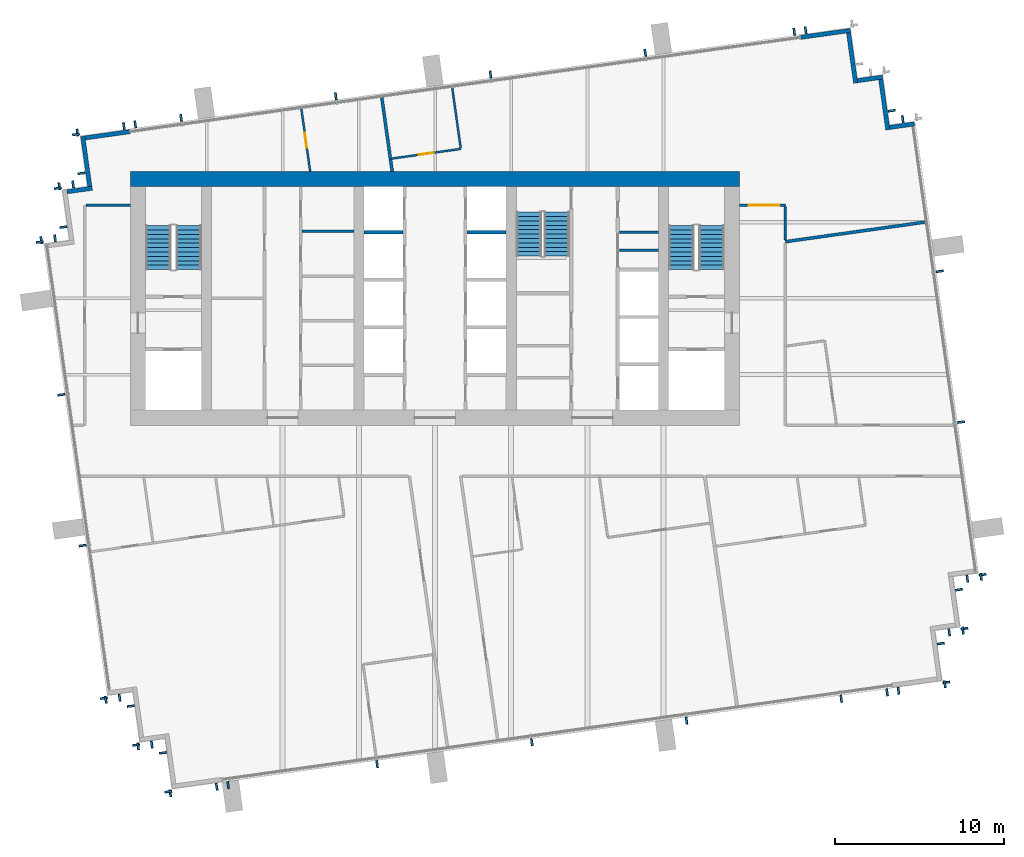
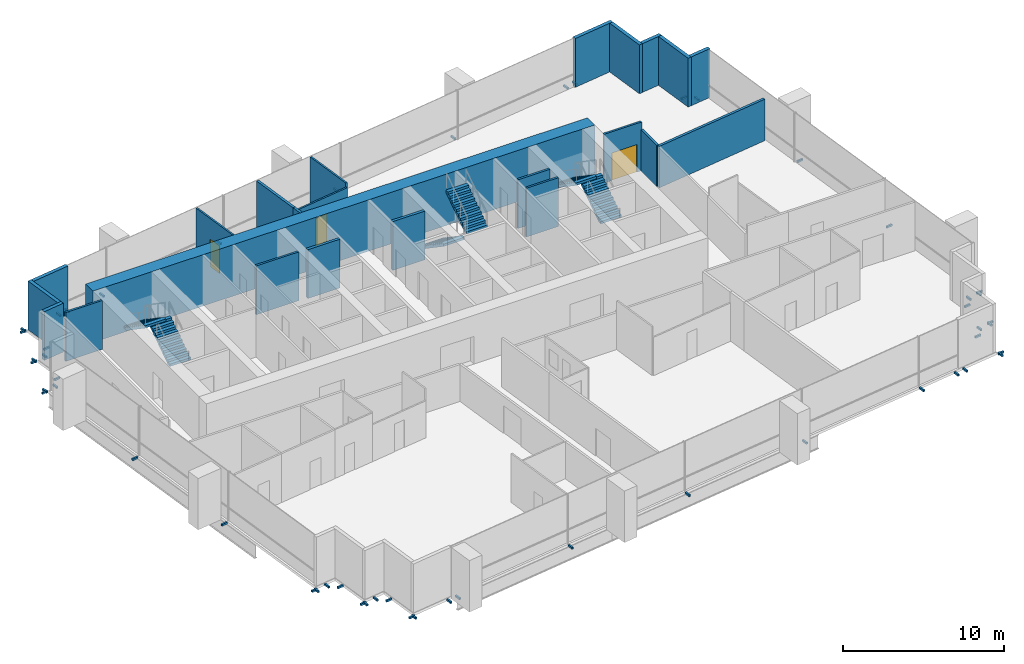
# One storey, part 12 of 14: 52 discrete accessories, 23 walls, 6 stair flights, 3 doors, 3 openings, 3 elements without a shape of their own.
"""IFC4 building model written with IfcOpenShell, lengths in metres."""

from ifc_helpers import new_model, si_unit, direction, frame, frame_2d, origin, origin_2d, place, context, subcontext, project, spatial, polyline, rectangle, outline, extrude, material, layer, layer_set, type_object, element, fill, aggregate, save


model = new_model("IFC4")

# Units and contexts
model_context = context("Model", 3, precision=1e-05, world=origin(), true_north=direction((0.0, 1.0)))
body_context = subcontext(model_context, "Body", "Model", "MODEL_VIEW")
ifc_project = project(units=[si_unit("LENGTHUNIT", "METRE"), si_unit("AREAUNIT", "SQUARE_METRE"), si_unit("VOLUMEUNIT", "CUBIC_METRE"), si_unit("PLANEANGLEUNIT", "RADIAN"), si_unit("MASSUNIT", "GRAM", prefix="KILO")], contexts=[model_context])

# Site, building, storey
site_placement = place(None, origin())
site = spatial("IfcSite", under=ifc_project, at=site_placement, CompositionType="ELEMENT")
building_placement = place(site_placement, origin())
building = spatial("IfcBuilding", under=site, at=building_placement, Name="Rattan Terrace Tower", CompositionType="ELEMENT")
storey_placement = place(building_placement, frame((0.0, 0.0, 229.10009765625)))
storey = spatial("IfcBuildingStorey", under=building, at=storey_placement, Name="L52", CompositionType="ELEMENT", Elevation=229.10009765625)

# Walls
ifc_material_1 = material(Name="Gypsum board partition")
ifc_layer_1 = layer(ifc_material_1, 0.14990234375)
ifc_layer_set_1 = layer_set([ifc_layer_1], Name="Core partition 150")
wall_type_1 = type_object("IfcWallType", Name="Core partition 150", PredefinedType="PARTITIONING", material=ifc_layer_set_1)
wall_1_placement = place(storey_placement, frame((-7.85009765625, 3.9599609375, 0.0), z_axis=(0.0, 0.0, 1.0), x_axis=(1.0, 0.0, 0.0)))
element("IfcWall", 1, at=wall_1_placement, inside=storey, type_object=wall_type_1, Name="Core room wall", PredefinedType="PARTITIONING", context=body_context, shape_type="SweptSolid", body=[
    extrude(rectangle(XDim=3.050048828125, YDim=0.14990234375, at=frame_2d((1.52490234375, 0.0))), origin(), (0.0, 0.0, 1.0), 3.699951171875),
])
for number, where, z_axis, x_axis, name in (
    (2, (10.89990234375, 2.85595703125, 0.0), (0.0, 0.0, 1.0), (1.0, 0.0, 0.0), "Riser room wall"),
    (3, (10.89990234375, 3.912109375, 0.0), (0.0, 0.0, 1.0), (1.0, 0.0, 0.0), "Riser room wall"),
):
    element("IfcWall", number, at=place(storey_placement, frame(where, z_axis=z_axis, x_axis=x_axis)), inside=storey, type_object=wall_type_1, Name=name, PredefinedType="PARTITIONING", context=body_context, shape_type="SweptSolid", body=[
        extrude(rectangle(XDim=2.300048828125, YDim=0.14990234375, at=frame_2d((1.14990234375, 0.0))), origin(), (0.0, 0.0, 1.0), 3.699951171875),
    ])
ifc_material_2 = material(Name="Concrete C50/60", Category="concrete")
ifc_layer_2 = layer(ifc_material_2, 0.89990234375)
ifc_layer_set_2 = layer_set([ifc_layer_2], Name="Core ring wall 900 C50/60")
wall_type_2 = type_object("IfcWallType", Name="Core ring wall 900 C50/60", PredefinedType="SHEAR", material=ifc_layer_set_2)
wall_2_placement = place(storey_placement, frame((-18.0, 7.050048828125, -0.2001953125), z_axis=(0.0, 0.0, 1.0), x_axis=(1.0, 0.0, 0.0)))
element("IfcWall", 4, at=wall_2_placement, inside=storey, type_object=wall_type_2, Name="Rear core wall north", PredefinedType="SHEAR", context=body_context, shape_type="SweptSolid", body=[
    extrude(rectangle(XDim=36.0, YDim=0.89990234375, at=frame_2d((18.0, 0.0))), origin(), (0.0, 0.0, 1.0), 3.900146484375),
])
ifc_material_3 = material(Name="Insulated aluminium-clad stud wall", Category="aluminium")
ifc_layer_3 = layer(ifc_material_3, 0.25)
ifc_layer_set_3 = layer_set([ifc_layer_3], Name="Facade Riser Wall 250")
wall_type_3 = type_object("IfcWallType", Name="Facade Riser Wall 250", PredefinedType="SOLIDWALL", material=ifc_layer_set_3)
wall_3_placement = place(storey_placement, frame((28.322265625, 10.308837890625, 0.0), z_axis=(0.0, 0.0, 1.0), x_axis=(-0.990235520307, -0.13940449893, 0.0)))
element("IfcWall", 5, at=wall_3_placement, inside=storey, type_object=wall_type_3, Name="Riser wall L52-6", PredefinedType="SOLIDWALL", context=body_context, shape_type="SweptSolid", body=[
    extrude(rectangle(XDim=1.474609375, YDim=0.25, at=frame_2d((0.7373046875, 0.0))), origin(), (0.0, 0.0, 1.0), 3.699951171875),
])
wall_4_placement = place(storey_placement, frame((26.755859375, 9.962158203125, 0.0), z_axis=(0.0, 0.0, 1.0), x_axis=(-0.139393225799, 0.990237107263, 0.0)))
element("IfcWall", 6, at=wall_4_placement, inside=storey, type_object=wall_type_3, Name="Riser wall L52-7", PredefinedType="SOLIDWALL", context=body_context, shape_type="SweptSolid", body=[
    extrude(rectangle(XDim=3.000244140625, YDim=0.25, at=frame_2d((1.5, 0.0))), origin(), (0.0, 0.0, 1.0), 3.699951171875),
])
wall_5_placement = place(storey_placement, frame((26.444091796875, 13.074462890625, 0.0), z_axis=(0.0, 0.0, 1.0), x_axis=(-0.990240434918, -0.139369584395, 0.0)))
element("IfcWall", 7, at=wall_5_placement, inside=storey, type_object=wall_type_3, Name="Riser wall L52-8", PredefinedType="SOLIDWALL", context=body_context, shape_type="SweptSolid", body=[
    extrude(rectangle(XDim=1.49951171875, YDim=0.25, at=frame_2d((0.749755859375, 0.0))), origin(), (0.0, 0.0, 1.0), 3.699951171875),
])
wall_6_placement = place(storey_placement, frame((24.852783203125, 12.72412109375, 0.0), z_axis=(0.0, 0.0, 1.0), x_axis=(-0.139302206688, 0.990249915532, 0.0)))
element("IfcWall", 8, at=wall_6_placement, inside=storey, type_object=wall_type_3, Name="Riser wall L52-9", PredefinedType="SOLIDWALL", context=body_context, shape_type="SweptSolid", body=[
    extrude(rectangle(XDim=3.00048828125, YDim=0.25, at=frame_2d((1.500244140625, 0.0))), origin(), (0.0, 0.0, 1.0), 3.699951171875),
])
wall_7_placement = place(storey_placement, frame((24.541015625, 15.83642578125, 0.0), z_axis=(0.0, 0.0, 1.0), x_axis=(-0.990285396533, -0.139049751574, 0.0)))
element("IfcWall", 9, at=wall_7_placement, inside=storey, type_object=wall_type_3, Name="Riser wall L52-10", PredefinedType="SOLIDWALL", context=body_context, shape_type="SweptSolid", body=[
    extrude(rectangle(XDim=2.955078125, YDim=0.25, at=frame_2d((1.4775390625, 0.0))), origin(), (0.0, 0.0, 1.0), 3.699951171875),
])
wall_8_placement = place(storey_placement, frame((-17.995361328125, 9.858642578125, 0.0), z_axis=(0.0, 0.0, 1.0), x_axis=(-0.99024510326, -0.139336411139, 0.0)))
element("IfcWall", 10, at=wall_8_placement, inside=storey, type_object=wall_type_3, Name="Riser wall L52-11", PredefinedType="SOLIDWALL", context=body_context, shape_type="SweptSolid", body=[
    extrude(rectangle(XDim=2.705322265625, YDim=0.25, at=frame_2d((1.3525390625, 0.0))), origin(), (0.0, 0.0, 1.0), 3.699951171875),
])
wall_9_placement = place(storey_placement, frame((-20.8154296875, 9.588134765625, 0.0), z_axis=(0.0, 0.0, 1.0), x_axis=(0.138983028379, -0.9902947631, 0.0)))
element("IfcWall", 11, at=wall_9_placement, inside=storey, type_object=wall_type_3, Name="Riser wall L52-12", PredefinedType="SOLIDWALL", context=body_context, shape_type="SweptSolid", body=[
    extrude(rectangle(XDim=3.000244140625, YDim=0.25, at=frame_2d((1.5, 0.0))), origin(), (0.0, 0.0, 1.0), 3.699951171875),
])
wall_10_placement = place(storey_placement, frame((-20.25732421875, 6.510498046875, 0.0), z_axis=(0.0, 0.0, 1.0), x_axis=(-0.990330117064, -0.138730887823, 0.0)))
element("IfcWall", 12, at=wall_10_placement, inside=storey, type_object=wall_type_3, Name="Riser wall L52-13", PredefinedType="SOLIDWALL", context=body_context, shape_type="SweptSolid", body=[
    extrude(rectangle(XDim=1.499267578125, YDim=0.25, at=frame_2d((0.74951171875, 0.0))), origin(), (0.0, 0.0, 1.0), 3.699951171875),
])
ifc_material_4 = material(Name="Double steel stud acoustic partition, gypsum board, mineral wool, fire rated", Category="steel")
ifc_layer_4 = layer(ifc_material_4, 0.179931640625)
ifc_layer_set_4 = layer_set([ifc_layer_4], Name="Floors Acoustic Party Wall 180")
wall_type_4 = type_object("IfcWallType", Name="Floors Acoustic Party Wall 180", PredefinedType="PARTITIONING", material=ifc_layer_set_4)
wall_11_placement = place(storey_placement, frame((-2.632080078125, 8.22998046875, 0.0), z_axis=(0.0, 0.0, 1.0), x_axis=(0.138452925943, -0.99036901572, 0.0)))
element("IfcWall", 13, at=wall_11_placement, inside=storey, type_object=wall_type_4, Name="pt-L52-047", PredefinedType="PARTITIONING", context=body_context, shape_type="SweptSolid", body=[
    extrude(rectangle(XDim=0.737060546875, YDim=0.179931640625, at=frame_2d((0.36865234375, 0.0))), origin(), (0.0, 0.0, 1.0), 3.699951171875),
])
wall_12_placement = place(storey_placement, frame((-3.14208984375, 11.85595703125, 0.0), z_axis=(0.0, 0.0, 1.0), x_axis=(0.139058624332, -0.990284150635, 0.0)))
element("IfcWall", 14, at=wall_12_placement, inside=storey, type_object=wall_type_4, Name="pt-L52-048", PredefinedType="PARTITIONING", context=body_context, shape_type="SweptSolid", body=[
    extrude(rectangle(XDim=3.66064453125, YDim=0.179931640625, at=frame_2d((1.830322265625, 0.0))), origin(), (0.0, 0.0, 1.0), 3.699951171875),
])
wall_13_placement = place(storey_placement, frame((20.699951171875, 3.35009765625, 0.0), z_axis=(0.0, 0.0, 1.0), x_axis=(0.990269965101, 0.139159606996, 0.0)))
element("IfcWall", 15, at=wall_13_placement, inside=storey, type_object=wall_type_4, Name="pt-L52-051", PredefinedType="PARTITIONING", context=body_context, shape_type="SweptSolid", body=[
    extrude(rectangle(XDim=8.328125, YDim=0.179931640625, at=frame_2d((4.1640625, 0.0))), origin(), (0.0, 0.0, 1.0), 3.14990234375),
])
ifc_material_5 = material(Name="Gypsum board partition on steel studs, fire rated", Category="steel")
ifc_layer_5 = layer(ifc_material_5, 0.14990234375)
ifc_layer_set_5 = layer_set([ifc_layer_5], Name="Floors Tenancy Wall 150")
wall_type_5 = type_object("IfcWallType", Name="Floors Tenancy Wall 150", PredefinedType="PARTITIONING", material=ifc_layer_set_5)
wall_14_placement = place(storey_placement, frame((-20.625, 5.5009765625, 0.0), z_axis=(0.0, 0.0, 1.0), x_axis=(1.0, 0.0, 0.0)))
element("IfcWall", 16, at=wall_14_placement, inside=storey, type_object=wall_type_5, Name="pt-L52-018", PredefinedType="PARTITIONING", context=body_context, shape_type="SweptSolid", body=[
    extrude(rectangle(XDim=2.625, YDim=0.14990234375, at=frame_2d((1.3125, 0.0))), origin(), (0.0, 0.0, 1.0), 3.699951171875),
])

# Wall, opening, door
wall_15_placement = place(storey_placement, frame((18.0, 5.5, 0.0), z_axis=(0.0, 0.0, 1.0), x_axis=(1.0, 0.0, 0.0)))
wall_15 = element("IfcWall", 17, at=wall_15_placement, inside=storey, type_object=wall_type_5, Name="pt-L52-023", PredefinedType="PARTITIONING", context=body_context, shape_type="SweptSolid", body=[
    extrude(rectangle(XDim=2.699951171875, YDim=0.14990234375, at=frame_2d((1.35009765625, 0.0))), origin(), (0.0, 0.0, 1.0), 3.699951171875),
])
opening_1_placement = place(wall_15_placement, frame((0.550048828125, 0.0, 0.0)))
opening_1 = element("IfcOpeningElement", 18, at=opening_1_placement, cuts=wall_15, Name="Opening L52-D116", PredefinedType="OPENING", context=body_context, shape_type="SweptSolid", body=[
    extrude(rectangle(XDim=1.800048828125, YDim=2.10009765625, at=frame_2d((0.89990234375, 1.050048828125))), frame((0.0, 0.08544921875, 0.0), z_axis=(0.0, -1.0, 0.0), x_axis=(1.0, 0.0, 0.0)), (0.0, 0.0, 1.0), 0.1708984375),
])
ifc_material_6 = material(Name="Steel fire door set", Category="steel")
door_type_1 = type_object("IfcDoorType", Name="Floors Fire Door Pair FD30S 1800x2100", OperationType="NOTDEFINED", PredefinedType="DOOR", material=ifc_material_6)
door_1_placement = place(opening_1_placement, origin())
door_1 = element("IfcDoor", 19, at=door_1_placement, inside=storey, type_object=door_type_1, Name="d-L52-116", OperationType="DOUBLE_DOOR_SINGLE_SWING", OverallHeight=2.10009765625, OverallWidth=1.800048828125, PredefinedType="DOOR", context=body_context, shape_type="SweptSolid", body=[
    extrude(rectangle(XDim=1.800048828125, YDim=2.10009765625, at=frame_2d((0.89990234375, 1.050048828125))), frame((0.0, 0.02490234375, 0.0), z_axis=(0.0, -1.0, 0.0), x_axis=(1.0, 0.0, 0.0)), (0.0, 0.0, 1.0), 0.050048828125),
])
fill(opening_1, door_1)

# Wall
wall_16_placement = place(storey_placement, frame((20.699951171875, 5.425048828125, 0.0), z_axis=(0.0, 0.0, 1.0), x_axis=(0.0, -1.0, 0.0)))
element("IfcWall", 20, at=wall_16_placement, inside=storey, type_object=wall_type_5, Name="pt-L52-024", PredefinedType="PARTITIONING", context=body_context, shape_type="SweptSolid", body=[
    extrude(rectangle(XDim=1.97412109375, YDim=0.14990234375, at=frame_2d((0.987060546875, 0.0))), origin(), (0.0, 0.0, 1.0), 3.14990234375),
])

# Wall, opening, door
ifc_material_7 = material(Name="Moisture resistant gypsum board partition on steel studs with service cavity", Category="steel")
ifc_layer_6 = layer(ifc_material_7, 0.1201171875)
ifc_layer_set_6 = layer_set([ifc_layer_6], Name="Floors Wet Wall 120")
wall_type_6 = type_object("IfcWallType", Name="Floors Wet Wall 120", PredefinedType="PARTITIONING", material=ifc_layer_set_6)
wall_17_placement = place(storey_placement, frame((-7.89501953125, 11.18798828125, 0.0), z_axis=(0.0, 0.0, 1.0), x_axis=(0.139108182039, -0.990277190331, 0.0)))
wall_17 = element("IfcWall", 21, at=wall_17_placement, inside=storey, type_object=wall_type_6, Name="pt-L52-046", PredefinedType="PARTITIONING", context=body_context, shape_type="SweptSolid", body=[
    extrude(rectangle(XDim=3.72412109375, YDim=0.1201171875, at=frame_2d((1.862060546875, 0.0))), origin(), (0.0, 0.0, 1.0), 3.699951171875),
])
opening_2_placement = place(wall_17_placement, frame((1.412109375, 0.0, 0.0)))
opening_2 = element("IfcOpeningElement", 22, at=opening_2_placement, cuts=wall_17, Name="Opening L52-D113", PredefinedType="OPENING", context=body_context, shape_type="SweptSolid", body=[
    extrude(rectangle(XDim=0.89990234375, YDim=2.10009765625, at=frame_2d((0.449951171875, 1.050048828125))), frame((0.0, 0.070556640625, 0.0), z_axis=(0.0, -1.0, 0.0), x_axis=(1.0, 0.0, 0.0)), (0.0, 0.0, 1.0), 0.14111328125),
])
ifc_material_8 = material(Name="Solid core timber door, painted", Category="wood")
door_type_2 = type_object("IfcDoorType", Name="Floors Door 900x2100", OperationType="NOTDEFINED", PredefinedType="DOOR", material=ifc_material_8)
door_2_placement = place(opening_2_placement, origin())
door_2 = element("IfcDoor", 23, at=door_2_placement, inside=storey, type_object=door_type_2, Name="d-L52-113", OperationType="SINGLE_SWING_RIGHT", OverallHeight=2.10009765625, OverallWidth=0.89990234375, PredefinedType="DOOR", context=body_context, shape_type="SweptSolid", body=[
    extrude(rectangle(XDim=0.89990234375, YDim=2.10009765625, at=frame_2d((0.449951171875, 1.050048828125))), frame((0.0, 0.02490234375, 0.0), z_axis=(0.0, -1.0, 0.0), x_axis=(1.0, 0.0, 0.0)), (0.0, 0.0, 1.0), 0.050048828125),
])
fill(opening_2, door_2)

wall_18_placement = place(storey_placement, frame((-2.5458984375, 8.261962890625, 0.0), z_axis=(0.0, 0.0, 1.0), x_axis=(0.990233783149, 0.139416837975, 0.0)))
wall_18 = element("IfcWall", 24, at=wall_18_placement, inside=storey, type_object=wall_type_6, Name="pt-L52-052", PredefinedType="PARTITIONING", context=body_context, shape_type="SweptSolid", body=[
    extrude(rectangle(XDim=4.10986328125, YDim=0.1201171875, at=frame_2d((2.054931640625, 0.0))), origin(), (0.0, 0.0, 1.0), 3.39990234375),
])
opening_3_placement = place(wall_18_placement, frame((1.60498046875, 0.0, 0.0)))
opening_3 = element("IfcOpeningElement", 25, at=opening_3_placement, cuts=wall_18, Name="Opening L52-D117", PredefinedType="OPENING", context=body_context, shape_type="SweptSolid", body=[
    extrude(rectangle(XDim=0.89990234375, YDim=2.10009765625, at=frame_2d((0.449951171875, 1.050048828125))), frame((0.0, 0.070556640625, 0.0), z_axis=(0.0, -1.0, 0.0), x_axis=(1.0, 0.0, 0.0)), (0.0, 0.0, 1.0), 0.14111328125),
])
door_3_placement = place(opening_3_placement, origin())
door_3 = element("IfcDoor", 26, at=door_3_placement, inside=storey, type_object=door_type_2, Name="d-L52-117", OperationType="SINGLE_SWING_RIGHT", OverallHeight=2.10009765625, OverallWidth=0.89990234375, PredefinedType="DOOR", context=body_context, shape_type="SweptSolid", body=[
    extrude(rectangle(XDim=0.89990234375, YDim=2.10009765625, at=frame_2d((0.449951171875, 1.050048828125))), frame((0.0, 0.02490234375, 0.0), z_axis=(0.0, -1.0, 0.0), x_axis=(1.0, 0.0, 0.0)), (0.0, 0.0, 1.0), 0.050048828125),
])
fill(opening_3, door_3)

# Walls
wall_19_placement = place(storey_placement, frame((1.51611328125, 8.89404296875, 0.0), z_axis=(0.0, 0.0, 1.0), x_axis=(-0.139321670591, 0.990247177276, 0.0)))
element("IfcWall", 27, at=wall_19_placement, inside=storey, type_object=wall_type_6, Name="pt-L52-053", PredefinedType="PARTITIONING", context=body_context, shape_type="SweptSolid", body=[
    extrude(rectangle(XDim=3.581787109375, YDim=0.1201171875, at=frame_2d((1.791015625, 0.0))), origin(), (0.0, 0.0, 1.0), 3.699951171875),
])
ifc_material_9 = material(Name="Gypsum shaft wall system")
ifc_layer_7 = layer(ifc_material_9, 0.199951171875)
ifc_layer_set_7 = layer_set([ifc_layer_7], Name="Lift shaft wall 200")
wall_type_7 = type_object("IfcWallType", Name="Lift shaft wall 200", PredefinedType="PARTITIONING", material=ifc_layer_set_7)
for number, where, z_axis, x_axis, name in (
    (28, (-4.199951171875, 3.89990234375, 0.0), (0.0, 0.0, 1.0), (1.0, 0.0, 0.0), "Lift shaft wall"),
    (29, (1.89990234375, 3.89990234375, 0.0), (0.0, 0.0, 1.0), (1.0, 0.0, 0.0), "Lift shaft wall"),
):
    element("IfcWall", number, at=place(storey_placement, frame(where, z_axis=z_axis, x_axis=x_axis)), inside=storey, type_object=wall_type_7, Name=name, PredefinedType="PARTITIONING", context=body_context, shape_type="SweptSolid", body=[
        extrude(rectangle(XDim=2.300048828125, YDim=0.199951171875, at=frame_2d((1.14990234375, 0.0))), origin(), (0.0, 0.0, 1.0), 3.699951171875),
    ])

# Stair, stair flights
ifc_material_10 = material(Name="Concrete C40/50", Category="concrete")
stair_type = type_object("IfcStairType", Name="Core exit stair 1500", PredefinedType="HALF_TURN_STAIR", material=ifc_material_10)
stair_1_placement = place(storey_placement, origin())
stair_1 = element("IfcStair", 30, at=stair_1_placement, inside=storey, type_object=stair_type, Name="L52 exit stair 1", PredefinedType="HALF_TURN_STAIR")
ifc_material_11 = material(Name="Concrete C40/50", Category="concrete")
stair_flight_type = type_object("IfcStairFlightType", Name="Core exit stair flight 1500", PredefinedType="STRAIGHT", material=ifc_material_11)
stair_flight_1_placement = place(storey_placement, frame((-14.550048828125, 1.699951171875, 0.0), z_axis=(0.0, 0.0, 1.0), x_axis=(0.0, 1.0, 0.0)))
stair_flight_1 = element("IfcStairFlight", 31, at=stair_flight_1_placement, type_object=stair_flight_type, Name="S1 flight 1", NumberOfRisers=11, NumberOfTreads=10, PredefinedType="STRAIGHT", RiserHeight=0.177272727, TreadLength=0.26, context=body_context, shape_type="SweptSolid", body=[
    extrude(outline(polyline([(0.0, 0.0), (0.0, 0.17724609375), (0.260009765625, 0.17724609375), (0.260009765625, 0.3544921875), (0.52001953125, 0.3544921875), (0.52001953125, 0.53173828125), (0.780029296875, 0.53173828125), (0.780029296875, 0.708984375), (1.0400390625, 0.708984375), (1.0400390625, 0.886474609375), (1.300048828125, 0.886474609375), (1.300048828125, 1.063720703125), (1.56005859375, 1.063720703125), (1.56005859375, 1.240966796875), (1.820068359375, 1.240966796875), (1.820068359375, 1.418212890625), (2.080078125, 1.418212890625), (2.080078125, 1.595458984375), (2.340087890625, 1.595458984375), (2.340087890625, 1.772705078125), (2.60009765625, 1.772705078125), (2.60009765625, 1.949951171875), (2.60009765625, 1.59130859375), (0.26611328125, 0.0), (0.0, 0.0)])), frame((0.0, 0.75, 0.0), z_axis=(0.0, -1.0, 0.0), x_axis=(1.0, 0.0, 0.0)), (0.0, 0.0, 1.0), 1.5),
])
stair_flight_2_placement = place(storey_placement, frame((-16.35009765625, 4.300048828125, 1.949951171875), z_axis=(0.0, 0.0, 1.0), x_axis=(0.0, -1.0, 0.0)))
stair_flight_2 = element("IfcStairFlight", 32, at=stair_flight_2_placement, type_object=stair_flight_type, Name="S1 flight 2", NumberOfRisers=11, NumberOfTreads=10, PredefinedType="STRAIGHT", RiserHeight=0.177272727, TreadLength=0.26, context=body_context, shape_type="SweptSolid", body=[
    extrude(outline(polyline([(0.0, 0.0), (0.0, 0.17724609375), (0.260009765625, 0.17724609375), (0.260009765625, 0.3544921875), (0.52001953125, 0.3544921875), (0.52001953125, 0.53173828125), (0.780029296875, 0.53173828125), (0.780029296875, 0.708984375), (1.0400390625, 0.708984375), (1.0400390625, 0.886474609375), (1.300048828125, 0.886474609375), (1.300048828125, 1.063720703125), (1.56005859375, 1.063720703125), (1.56005859375, 1.240966796875), (1.820068359375, 1.240966796875), (1.820068359375, 1.418212890625), (2.080078125, 1.418212890625), (2.080078125, 1.595458984375), (2.340087890625, 1.595458984375), (2.340087890625, 1.772705078125), (2.60009765625, 1.772705078125), (2.60009765625, 1.949951171875), (2.60009765625, 1.59130859375), (0.26611328125, 0.0), (0.0, 0.0)])), frame((0.0, 0.75, 0.0), z_axis=(0.0, -1.0, 0.0), x_axis=(1.0, 0.0, 0.0)), (0.0, 0.0, 1.0), 1.5),
])
aggregate(stair_1, [stair_flight_1, stair_flight_2])

stair_2_placement = place(storey_placement, origin())
stair_2 = element("IfcStair", 33, at=stair_2_placement, inside=storey, type_object=stair_type, Name="L52 exit stair 2", PredefinedType="HALF_TURN_STAIR")
stair_flight_3_placement = place(storey_placement, frame((16.35009765625, 1.699951171875, 0.0), z_axis=(0.0, 0.0, 1.0), x_axis=(0.0, 1.0, 0.0)))
stair_flight_3 = element("IfcStairFlight", 34, at=stair_flight_3_placement, type_object=stair_flight_type, Name="S2 flight 1", NumberOfRisers=11, NumberOfTreads=10, PredefinedType="STRAIGHT", RiserHeight=0.177272727, TreadLength=0.26, context=body_context, shape_type="SweptSolid", body=[
    extrude(outline(polyline([(0.0, 0.0), (0.0, 0.17724609375), (0.260009765625, 0.17724609375), (0.260009765625, 0.3544921875), (0.52001953125, 0.3544921875), (0.52001953125, 0.53173828125), (0.780029296875, 0.53173828125), (0.780029296875, 0.708984375), (1.0400390625, 0.708984375), (1.0400390625, 0.886474609375), (1.300048828125, 0.886474609375), (1.300048828125, 1.063720703125), (1.56005859375, 1.063720703125), (1.56005859375, 1.240966796875), (1.820068359375, 1.240966796875), (1.820068359375, 1.418212890625), (2.080078125, 1.418212890625), (2.080078125, 1.595458984375), (2.340087890625, 1.595458984375), (2.340087890625, 1.772705078125), (2.60009765625, 1.772705078125), (2.60009765625, 1.949951171875), (2.60009765625, 1.59130859375), (0.26611328125, 0.0), (0.0, 0.0)])), frame((0.0, 0.75, 0.0), z_axis=(0.0, -1.0, 0.0), x_axis=(1.0, 0.0, 0.0)), (0.0, 0.0, 1.0), 1.5),
])
stair_flight_4_placement = place(storey_placement, frame((14.550048828125, 4.300048828125, 1.949951171875), z_axis=(0.0, 0.0, 1.0), x_axis=(0.0, -1.0, 0.0)))
stair_flight_4 = element("IfcStairFlight", 35, at=stair_flight_4_placement, type_object=stair_flight_type, Name="S2 flight 2", NumberOfRisers=11, NumberOfTreads=10, PredefinedType="STRAIGHT", RiserHeight=0.177272727, TreadLength=0.26, context=body_context, shape_type="SweptSolid", body=[
    extrude(outline(polyline([(0.0, 0.0), (0.0, 0.17724609375), (0.260009765625, 0.17724609375), (0.260009765625, 0.3544921875), (0.52001953125, 0.3544921875), (0.52001953125, 0.53173828125), (0.780029296875, 0.53173828125), (0.780029296875, 0.708984375), (1.0400390625, 0.708984375), (1.0400390625, 0.886474609375), (1.300048828125, 0.886474609375), (1.300048828125, 1.063720703125), (1.56005859375, 1.063720703125), (1.56005859375, 1.240966796875), (1.820068359375, 1.240966796875), (1.820068359375, 1.418212890625), (2.080078125, 1.418212890625), (2.080078125, 1.595458984375), (2.340087890625, 1.595458984375), (2.340087890625, 1.772705078125), (2.60009765625, 1.772705078125), (2.60009765625, 1.949951171875), (2.60009765625, 1.59130859375), (0.26611328125, 0.0), (0.0, 0.0)])), frame((0.0, 0.75, 0.0), z_axis=(0.0, -1.0, 0.0), x_axis=(1.0, 0.0, 0.0)), (0.0, 0.0, 1.0), 1.5),
])
aggregate(stair_2, [stair_flight_3, stair_flight_4])

stair_3_placement = place(storey_placement, origin())
stair_3 = element("IfcStair", 36, at=stair_3_placement, inside=storey, type_object=stair_type, Name="L52 exit stair 3", PredefinedType="HALF_TURN_STAIR")
stair_flight_5_placement = place(storey_placement, frame((5.550048828125, 5.10009765625, 0.0), z_axis=(0.0, 0.0, 1.0), x_axis=(0.0, -1.0, 0.0)))
stair_flight_5 = element("IfcStairFlight", 37, at=stair_flight_5_placement, type_object=stair_flight_type, Name="S3 flight 1", NumberOfRisers=11, NumberOfTreads=10, PredefinedType="STRAIGHT", RiserHeight=0.177272727, TreadLength=0.26, context=body_context, shape_type="SweptSolid", body=[
    extrude(outline(polyline([(0.0, 0.0), (0.0, 0.17724609375), (0.260009765625, 0.17724609375), (0.260009765625, 0.3544921875), (0.52001953125, 0.3544921875), (0.52001953125, 0.53173828125), (0.780029296875, 0.53173828125), (0.780029296875, 0.708984375), (1.0400390625, 0.708984375), (1.0400390625, 0.886474609375), (1.300048828125, 0.886474609375), (1.300048828125, 1.063720703125), (1.56005859375, 1.063720703125), (1.56005859375, 1.240966796875), (1.820068359375, 1.240966796875), (1.820068359375, 1.418212890625), (2.080078125, 1.418212890625), (2.080078125, 1.595458984375), (2.340087890625, 1.595458984375), (2.340087890625, 1.772705078125), (2.60009765625, 1.772705078125), (2.60009765625, 1.949951171875), (2.60009765625, 1.59130859375), (0.26611328125, 0.0), (0.0, 0.0)])), frame((0.0, 0.75, 0.0), z_axis=(0.0, -1.0, 0.0), x_axis=(1.0, 0.0, 0.0)), (0.0, 0.0, 1.0), 1.5),
])
stair_flight_6_placement = place(storey_placement, frame((7.199951171875, 2.5, 1.949951171875), z_axis=(0.0, 0.0, 1.0), x_axis=(0.0, 1.0, 0.0)))
stair_flight_6 = element("IfcStairFlight", 38, at=stair_flight_6_placement, type_object=stair_flight_type, Name="S3 flight 2", NumberOfRisers=11, NumberOfTreads=10, PredefinedType="STRAIGHT", RiserHeight=0.177272727, TreadLength=0.26, context=body_context, shape_type="SweptSolid", body=[
    extrude(outline(polyline([(0.0, 0.0), (0.0, 0.17724609375), (0.260009765625, 0.17724609375), (0.260009765625, 0.3544921875), (0.52001953125, 0.3544921875), (0.52001953125, 0.53173828125), (0.780029296875, 0.53173828125), (0.780029296875, 0.708984375), (1.0400390625, 0.708984375), (1.0400390625, 0.886474609375), (1.300048828125, 0.886474609375), (1.300048828125, 1.063720703125), (1.56005859375, 1.063720703125), (1.56005859375, 1.240966796875), (1.820068359375, 1.240966796875), (1.820068359375, 1.418212890625), (2.080078125, 1.418212890625), (2.080078125, 1.595458984375), (2.340087890625, 1.595458984375), (2.340087890625, 1.772705078125), (2.60009765625, 1.772705078125), (2.60009765625, 1.949951171875), (2.60009765625, 1.59130859375), (0.26611328125, 0.0), (0.0, 0.0)])), frame((0.0, 0.75, 0.0), z_axis=(0.0, -1.0, 0.0), x_axis=(1.0, 0.0, 0.0)), (0.0, 0.0, 1.0), 1.5),
])
aggregate(stair_3, [stair_flight_5, stair_flight_6])

# Discrete accessories
for number, where, z_axis, x_axis, name in (
    (39, (27.385009765625, -23.1875, -0.169921875), (0.0, 0.0, 1.0), (0.990247240581, 0.139321220646, 0.0), "Panel bracket L52-1"),
    (40, (30.1279296875, -22.8017578125, -0.169921875), (0.0, 0.0, 1.0), (0.990247240581, 0.139321220646, 0.0), "Panel bracket L52-2"),
    (41, (30.213134765625, -22.6884765625, -0.169921875), (0.0, 0.0, 1.0), (-0.138994363123, 0.990293172258, 0.0), "Panel bracket L52-3"),
    (42, (29.890869140625, -20.391357421875, -0.169921875), (0.0, 0.0, 1.0), (-0.138994363123, 0.990293172258, 0.0), "Panel bracket L52-4"),
    (43, (30.384521484375, -19.736328125, -0.169921875), (0.0, 0.0, 1.0), (0.990332587523, 0.138713251317, 0.0), "Panel bracket L52-5"),
    (44, (31.1962890625, -19.62255859375, -0.169921875), (0.0, 0.0, 1.0), (0.990332587523, 0.138713251317, 0.0), "Panel bracket L52-6"),
    (45, (31.28125, -19.510009765625, -0.169921875), (0.0, 0.0, 1.0), (-0.139321220646, 0.990247240581, 0.0), "Panel bracket L52-7"),
    (46, (30.9580078125, -17.212158203125, -0.169921875), (0.0, 0.0, 1.0), (-0.139321220646, 0.990247240581, 0.0), "Panel bracket L52-8"),
    (47, (31.45166015625, -16.556884765625, -0.169921875), (0.0, 0.0, 1.0), (0.99025370695, 0.139275252184, 0.0), "Panel bracket L52-9"),
    (48, (32.26416015625, -16.442626953125, -0.169921875), (0.0, 0.0, 1.0), (0.99025370695, 0.139275252184, 0.0), "Panel bracket L52-10"),
    (49, (32.349365234375, -16.32958984375, -0.169921875), (0.0, 0.0, 1.0), (-0.139186165309, 0.990266232579, 0.0), "Panel bracket L52-11"),
    (50, (31.081298828125, -7.308349609375, -0.169921875), (0.0, 0.0, 1.0), (-0.139186165309, 0.990266232579, 0.0), "Panel bracket L52-12"),
    (51, (29.82861328125, 1.60400390625, -0.169921875), (0.0, 0.0, 1.0), (-0.139186165309, 0.990266232579, 0.0), "Panel bracket L52-13"),
    (52, (27.635986328125, 10.595947265625, -0.169921875), (0.0, 0.0, 1.0), (-0.990240767803, -0.139367219175, 0.0), "Panel bracket L52-16"),
    (53, (26.98095703125, 11.089599609375, -0.169921875), (0.0, 0.0, 1.0), (-0.139321220646, 0.990247240581, 0.0), "Panel bracket L52-17"),
    (54, (21.8984375, 15.84912109375, -0.169921875), (0.0, 0.0, 1.0), (-0.990293172258, -0.138994363123, 0.0), "Panel bracket L52-24"),
    (55, (21.22509765625, 15.754638671875, -0.169921875), (0.0, 0.0, 1.0), (-0.990267457022, -0.139177453499, 0.0), "Panel bracket L52-25"),
    (56, (12.420654296875, 14.517333984375, -0.169921875), (0.0, 0.0, 1.0), (-0.990267457022, -0.139177453499, 0.0), "Panel bracket L52-26"),
    (57, (3.279541015625, 13.232421875, -0.169921875), (0.0, 0.0, 1.0), (-0.990267457022, -0.139177453499, 0.0), "Panel bracket L52-27"),
    (58, (-5.861572265625, 11.94775390625, -0.169921875), (0.0, 0.0, 1.0), (-0.990267457022, -0.139177453499, 0.0), "Panel bracket L52-28"),
    (59, (-15.0029296875, 10.6630859375, -0.169921875), (0.0, 0.0, 1.0), (-0.990267457022, -0.139177453499, 0.0), "Panel bracket L52-29"),
    (60, (-17.711669921875, 10.2822265625, -0.169921875), (0.0, 0.0, 1.0), (-0.990267457022, -0.139177453499, 0.0), "Panel bracket L52-30"),
    (61, (-18.385009765625, 10.1875, -0.169921875), (0.0, 0.0, 1.0), (-0.990247240581, -0.139321220646, 0.0), "Panel bracket L52-31"),
    (62, (-21.1279296875, 9.8017578125, -0.169921875), (0.0, 0.0, 1.0), (-0.990247240581, -0.139321220646, 0.0), "Panel bracket L52-32"),
    (63, (-21.213134765625, 9.6884765625, -0.169921875), (0.0, 0.0, 1.0), (0.138994363123, -0.990293172258, 0.0), "Panel bracket L52-33"),
    (64, (-20.890869140625, 7.391357421875, -0.169921875), (0.0, 0.0, 1.0), (0.138994363123, -0.990293172258, 0.0), "Panel bracket L52-34"),
    (65, (-21.384521484375, 6.736328125, -0.169921875), (0.0, 0.0, 1.0), (-0.990332587523, -0.138713251317, 0.0), "Panel bracket L52-35"),
    (66, (-22.1962890625, 6.62255859375, -0.169921875), (0.0, 0.0, 1.0), (-0.990332587523, -0.138713251317, 0.0), "Panel bracket L52-36"),
    (67, (-22.28125, 6.510009765625, -0.169921875), (0.0, 0.0, 1.0), (0.139321220646, -0.990247240581, 0.0), "Panel bracket L52-37"),
    (68, (-21.9580078125, 4.212158203125, -0.169921875), (0.0, 0.0, 1.0), (0.139321220646, -0.990247240581, 0.0), "Panel bracket L52-38"),
    (69, (-22.45166015625, 3.556884765625, -0.169921875), (0.0, 0.0, 1.0), (-0.99025370695, -0.139275252184, 0.0), "Panel bracket L52-39"),
    (70, (-23.26416015625, 3.442626953125, -0.169921875), (0.0, 0.0, 1.0), (-0.99025370695, -0.139275252184, 0.0), "Panel bracket L52-40"),
    (71, (-23.349365234375, 3.32958984375, -0.169921875), (0.0, 0.0, 1.0), (0.139186165309, -0.990266232579, 0.0), "Panel bracket L52-41"),
    (72, (-22.081298828125, -5.691650390625, -0.169921875), (0.0, 0.0, 1.0), (0.139186165309, -0.990266232579, 0.0), "Panel bracket L52-42"),
    (73, (-20.82861328125, -14.60400390625, -0.169921875), (0.0, 0.0, 1.0), (0.139186165309, -0.990266232579, 0.0), "Panel bracket L52-43"),
    (74, (-19.560546875, -23.625244140625, -0.169921875), (0.0, 0.0, 1.0), (0.139186165309, -0.990266232579, 0.0), "Panel bracket L52-44"),
    (75, (-19.44775390625, -23.710205078125, -0.169921875), (0.0, 0.0, 1.0), (0.990240767803, 0.139367219175, 0.0), "Panel bracket L52-45"),
    (76, (-18.635986328125, -23.595947265625, -0.169921875), (0.0, 0.0, 1.0), (0.990240767803, 0.139367219175, 0.0), "Panel bracket L52-46"),
    (77, (-17.98095703125, -24.089599609375, -0.169921875), (0.0, 0.0, 1.0), (0.139321220646, -0.990247240581, 0.0), "Panel bracket L52-47"),
    (78, (-17.65771484375, -26.38720703125, -0.169921875), (0.0, 0.0, 1.0), (0.139321220646, -0.990247240581, 0.0), "Panel bracket L52-48"),
    (79, (-17.544677734375, -26.47216796875, -0.169921875), (0.0, 0.0, 1.0), (0.990240767803, 0.139367219175, 0.0), "Panel bracket L52-49"),
    (80, (-16.733154296875, -26.358154296875, -0.169921875), (0.0, 0.0, 1.0), (0.990240767803, 0.139367219175, 0.0), "Panel bracket L52-50"),
    (81, (-16.077880859375, -26.8515625, -0.169921875), (0.0, 0.0, 1.0), (0.139321220646, -0.990247240581, 0.0), "Panel bracket L52-51"),
    (82, (-15.754638671875, -29.14892578125, -0.169921875), (0.0, 0.0, 1.0), (0.139321220646, -0.990247240581, 0.0), "Panel bracket L52-52"),
    (83, (-15.6416015625, -29.234130859375, -0.169921875), (0.0, 0.0, 1.0), (0.990293172258, 0.138994363123, 0.0), "Panel bracket L52-53"),
    (84, (-12.8984375, -28.84912109375, -0.169921875), (0.0, 0.0, 1.0), (0.990293172258, 0.138994363123, 0.0), "Panel bracket L52-54"),
    (85, (-12.22509765625, -28.754638671875, -0.169921875), (0.0, 0.0, 1.0), (0.990267457022, 0.139177453499, 0.0), "Panel bracket L52-55"),
    (86, (-3.420654296875, -27.517333984375, -0.169921875), (0.0, 0.0, 1.0), (0.990267457022, 0.139177453499, 0.0), "Panel bracket L52-56"),
    (87, (5.720458984375, -26.232421875, -0.169921875), (0.0, 0.0, 1.0), (0.990267457022, 0.139177453499, 0.0), "Panel bracket L52-57"),
    (88, (14.861572265625, -24.94775390625, -0.169921875), (0.0, 0.0, 1.0), (0.990267457022, 0.139177453499, 0.0), "Panel bracket L52-58"),
    (89, (24.0029296875, -23.6630859375, -0.169921875), (0.0, 0.0, 1.0), (0.990267457022, 0.139177453499, 0.0), "Panel bracket L52-59"),
    (90, (26.711669921875, -23.2822265625, -0.169921875), (0.0, 0.0, 1.0), (0.990267457022, 0.139177453499, 0.0), "Panel bracket L52-60"),
):
    element("IfcDiscreteAccessory", number, at=place(storey_placement, frame(where, z_axis=z_axis, x_axis=x_axis)), inside=storey, Name=name, PredefinedType="BRACKET", context=body_context, shape_type="SweptSolid", body=[
        extrude(rectangle(XDim=0.1201171875, YDim=0.419921875, at=origin_2d()), origin(), (0.0, 0.0, 1.0), 0.139892578125),
    ])

save(model, "model.ifc")
